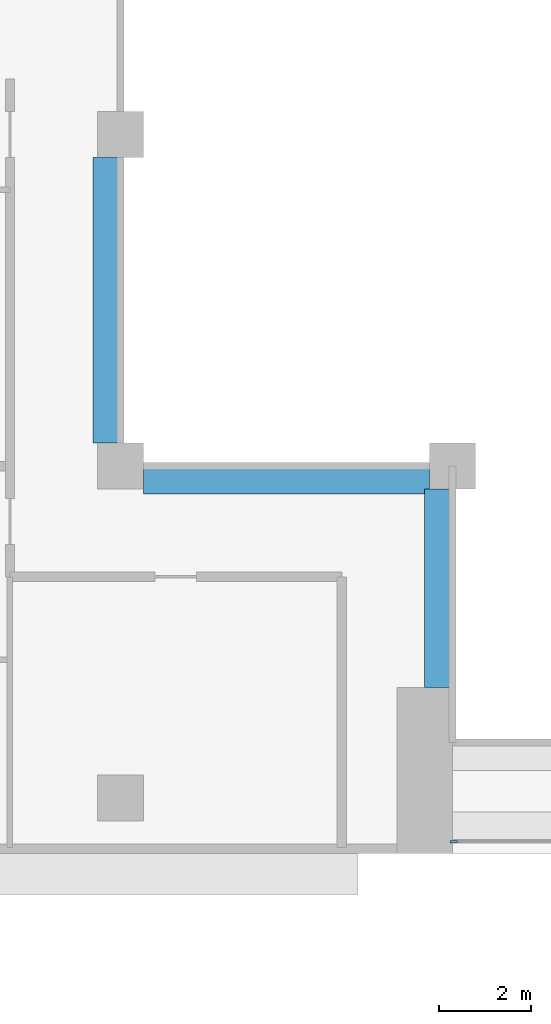
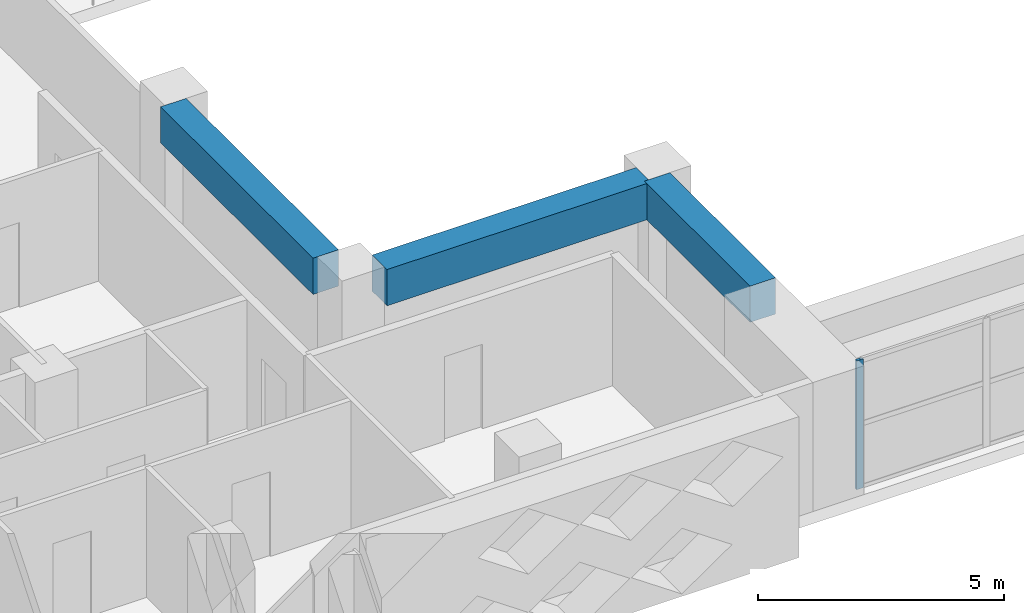
# One storey, part 2 of 20: 3 beams, 1 member, 1 element without a shape of its own.
"""IFC4 building model written with IfcOpenShell, lengths in metres."""

from ifc_helpers import new_model, si_unit, direction, frame, origin, origin_2d, place, context, subcontext, project, spatial, rectangle, extrude, source, transform, mapped, material, layer, layer_set, material_profile, profile_set, type_object, element, aggregate, save


model = new_model("IFC4")

# Units and contexts
model_context = context("Model", 3, precision=1e-05, world=origin(), true_north=direction((0.0, 1.0)))
body_context = subcontext(model_context, "Body", "Model", "MODEL_VIEW")
ifc_project = project(units=[si_unit("LENGTHUNIT", "METRE"), si_unit("AREAUNIT", "SQUARE_METRE"), si_unit("VOLUMEUNIT", "CUBIC_METRE"), si_unit("PLANEANGLEUNIT", "RADIAN"), si_unit("MASSUNIT", "GRAM", prefix="KILO")], contexts=[model_context])

# Site, building, storey
site_placement = place(None, origin())
site = spatial("IfcSite", under=ifc_project, at=site_placement, CompositionType="ELEMENT")
building_placement = place(site_placement, origin())
building = spatial("IfcBuilding", under=site, at=building_placement, Name="Saffron Iwan Residences", CompositionType="ELEMENT")
storey_placement = place(building_placement, frame((0.0, 0.0, 164.0)))
storey = spatial("IfcBuildingStorey", under=building, at=storey_placement, Name="L43", CompositionType="ELEMENT", Elevation=164.0)

# Beams
ifc_material_1 = material(Name="Concrete C50/60", Category="concrete")
ifc_material_profile_1 = material_profile(ifc_material_1, rectangle(XDim=0.60009765625, YDim=0.89990234375, at=origin_2d()), Name="RC 600x900")
ifc_profile_set_1 = profile_set([ifc_material_profile_1], Name="Concrete C50/60")
beam_type = type_object("IfcBeamType", Name="BEAM RC 600x900 C50/60 TOP 3200", PredefinedType="BEAM", material=ifc_profile_set_1)
shared_shape_1 = source(origin(), body_context, "Body", "SweptSolid", [
    extrude(rectangle(XDim=0.60009765625, YDim=0.89990234375, at=origin_2d()), origin(), (0.0, 0.0, 1.0), 4.300048828125),
])
beam_placement = place(storey_placement, frame((42.89990234375, 43.199951171875, 2.75), z_axis=(0.0, 1.0, 0.0), x_axis=(-1.0, 0.0, 0.0)))
element("IfcBeam", 1, at=beam_placement, inside=storey, type_object=beam_type, Name="Atrium edge beam", PredefinedType="BEAM", context=body_context, shape_type="MappedRepresentation", body=[
    mapped(shared_shape_1, transform((0.0, 0.0, 0.0))),
])
shared_shape_2 = source(origin(), body_context, "Body", "SweptSolid", [
    extrude(rectangle(XDim=0.60009765625, YDim=0.89990234375, at=origin_2d()), origin(), (0.0, 0.0, 1.0), 6.199951171875),
])
for number, where, z_axis, x_axis, name in (
    (2, (42.699951171875, 47.699951171875, 2.75), (-1.0, 0.0, 0.0), (0.0, -1.0, 0.0), "Atrium edge beam"),
    (3, (35.699951171875, 48.5, 2.75), (0.0, 1.0, 0.0), (-1.0, 0.0, 0.0), "Atrium edge beam"),
):
    element("IfcBeam", number, at=place(storey_placement, frame(where, z_axis=z_axis, x_axis=x_axis)), inside=storey, type_object=beam_type, Name=name, PredefinedType="BEAM", context=body_context, shape_type="MappedRepresentation", body=[
        mapped(shared_shape_2, transform((0.0, 0.0, 0.0))),
    ])

# Curtain wall, member
ifc_material_2 = material(Name="Clear glass, laminated double glazed", Category="glass")
ifc_layer = layer(ifc_material_2, 0.199951171875)
ifc_layer_set = layer_set([ifc_layer], Name="Clear glass, laminated double glazed")
curtain_wall_type = type_object("IfcCurtainWallType", Name="CW-B IWAN PORTAL", PredefinedType="NOTDEFINED", material=ifc_layer_set)
curtain_wall_placement = place(storey_placement, origin())
curtain_wall = element("IfcCurtainWall", 4, at=curtain_wall_placement, inside=storey, type_object=curtain_wall_type, Name="Iwan portal glazing L43.1", PredefinedType="NOTDEFINED")
ifc_material_3 = material(Name="Aluminium 6063-T6", Category="aluminium")
ifc_material_profile_2 = material_profile(ifc_material_3, rectangle(XDim=0.06005859375, YDim=0.159912109375, at=origin_2d()), Name="CW-B MULLION 60 x 160")
ifc_profile_set_2 = profile_set([ifc_material_profile_2], Name="Aluminium 6063-T6")
member_type = type_object("IfcMemberType", Name="CW-B MULLION 60 x 160", PredefinedType="MULLION", material=ifc_profile_set_2)
shared_shape_3 = source(origin(), body_context, "Body", "SweptSolid", [
    extrude(rectangle(XDim=0.06005859375, YDim=0.159912109375, at=origin_2d()), origin(), (0.0, 0.0, 1.0), 3.199951171875),
])
member_placement = place(storey_placement, frame((43.22998046875, 39.85009765625, 0.0), z_axis=(0.0, 0.0, 1.0), x_axis=(0.0, 1.0, 0.0)))
member = element("IfcMember", 5, at=member_placement, type_object=member_type, Name="CW-B mullion 1", PredefinedType="MULLION", context=body_context, shape_type="MappedRepresentation", body=[
    mapped(shared_shape_3, transform((0.0, 0.0, 0.0))),
])
aggregate(curtain_wall, [member])

save(model, "model.ifc")
